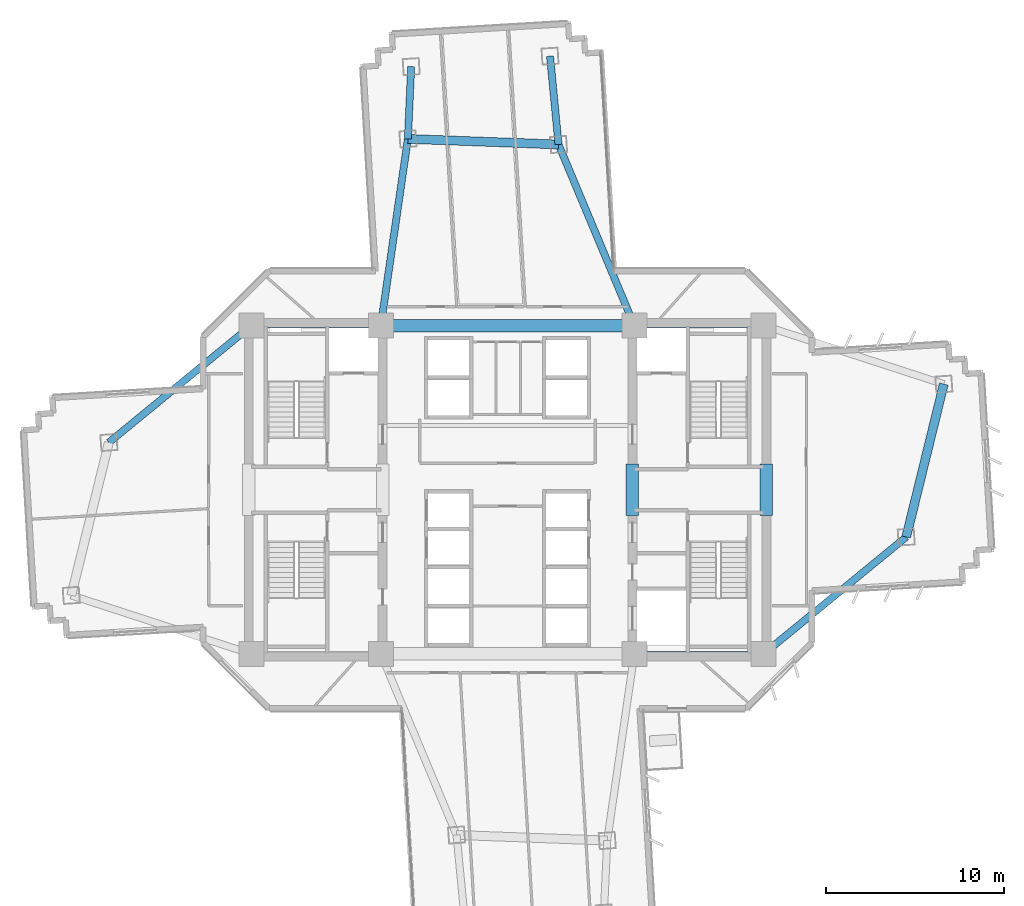
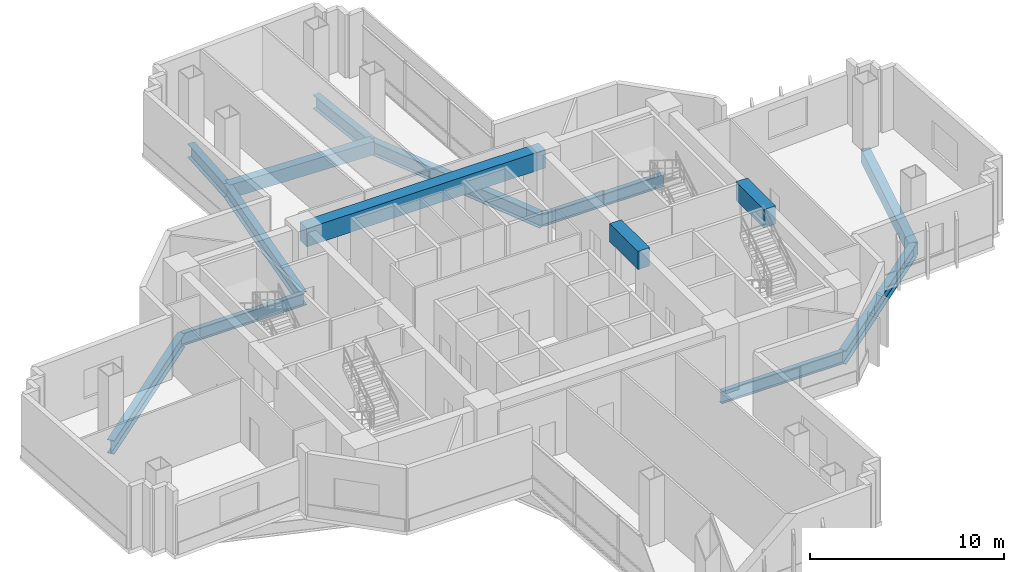
# One storey, part 3 of 15: 14 beams.
"""IFC4 building model written with IfcOpenShell, lengths in metres."""

from ifc_helpers import new_model, si_unit, direction, frame, origin, origin_2d, place, context, subcontext, project, spatial, rectangle, i_section, extrude, source, transform, mapped, material, material_profile, profile_set, type_object, element, save


model = new_model("IFC4")

# Units and contexts
model_context = context("Model", 3, precision=1e-05, world=origin(), true_north=direction((0.0, 1.0)))
body_context = subcontext(model_context, "Body", "Model", "MODEL_VIEW")
ifc_project = project(units=[si_unit("LENGTHUNIT", "METRE"), si_unit("AREAUNIT", "SQUARE_METRE"), si_unit("VOLUMEUNIT", "CUBIC_METRE"), si_unit("PLANEANGLEUNIT", "RADIAN"), si_unit("MASSUNIT", "GRAM", prefix="KILO")], contexts=[model_context])

# Site, building, storey
site_placement = place(None, origin())
site = spatial("IfcSite", under=ifc_project, at=site_placement, CompositionType="ELEMENT")
building_placement = place(site_placement, origin())
building = spatial("IfcBuilding", under=site, at=building_placement, Name="Zahravan Cultural Tower", CompositionType="ELEMENT")
storey_placement = place(building_placement, frame((0.0, 0.0, 71.10009765625)))
storey = spatial("IfcBuildingStorey", under=building, at=storey_placement, Name="L15", CompositionType="ELEMENT", Elevation=71.10009765625)

# Beams
ifc_material_1 = material(Name="Concrete C50/60", Category="concrete")
ifc_material_profile_1 = material_profile(ifc_material_1, rectangle(XDim=0.699951171875, YDim=1.14990234375, at=origin_2d()), Name="RC700X1150")
ifc_profile_set_1 = profile_set([ifc_material_profile_1], Name="Concrete C50/60")
beam_type_1 = type_object("IfcBeamType", Name="BM-LN-RC700X1150", PredefinedType="LINTEL", material=ifc_profile_set_1)
shared_shape_1 = source(origin(), body_context, "Body", "SweptSolid", [
    extrude(rectangle(XDim=0.699951171875, YDim=1.14990234375, at=origin_2d()), origin(), (0.0, 0.0, 1.0), 14.2001953125),
])
beam_1_placement = place(storey_placement, frame((28.89990234375, 36.199951171875, 3.375), z_axis=(1.0, 0.0, 0.0), x_axis=(0.0, 1.0, 0.0)))
element("IfcBeam", 1, at=beam_1_placement, inside=storey, type_object=beam_type_1, Name="L15 Beam LN-L15-N", PredefinedType="LINTEL", context=body_context, shape_type="MappedRepresentation", body=[
    mapped(shared_shape_1, transform((0.0, 0.0, 0.0), x_axis=(1.0, 0.0, 0.0), y_axis=(0.0, 1.0, 0.0), z_axis=(0.0, 0.0, 1.0), scale=1.0)),
])
shared_shape_2 = source(origin(), body_context, "Body", "SweptSolid", [
    extrude(rectangle(XDim=0.699951171875, YDim=1.14990234375, at=origin_2d()), origin(), (0.0, 0.0, 1.0), 2.89990234375),
])
for number, where, z_axis, x_axis, name in (
    (2, (43.0, 25.550048828125, 3.375), (0.0, 1.0, 0.0), (-1.0, 0.0, 0.0), "L15 Beam LN-L15-PEW"),
    (3, (50.5, 25.550048828125, 3.375), (0.0, 1.0, 0.0), (-1.0, 0.0, 0.0), "L15 Beam LN-L15-PEE"),
):
    element("IfcBeam", number, at=place(storey_placement, frame(where, z_axis=z_axis, x_axis=x_axis)), inside=storey, type_object=beam_type_1, Name=name, PredefinedType="LINTEL", context=body_context, shape_type="MappedRepresentation", body=[
        mapped(shared_shape_2, transform((0.0, 0.0, 0.0), x_axis=(1.0, 0.0, 0.0), y_axis=(0.0, 1.0, 0.0), z_axis=(0.0, 0.0, 1.0), scale=1.0)),
    ])
ifc_material_2 = material(Name="Steel ASTM A992 Grade 50", Category="steel")
ifc_material_profile_2 = material_profile(ifc_material_2, i_section(OverallWidth=0.26611328125, OverallDepth=0.780029296875, WebThickness=0.0166015625, FlangeThickness=0.030029296875, FilletRadius=0.01904296875, at=origin_2d()), Name="W30X148")
ifc_profile_set_2 = profile_set([ifc_material_profile_2], Name="Steel ASTM A992 Grade 50")
beam_type_2 = type_object("IfcBeamType", Name="BM-G-W30X148", PredefinedType="BEAM", material=ifc_profile_set_2)
shared_shape_3 = source(origin(), body_context, "Body", "SweptSolid", [
    extrude(i_section(OverallWidth=0.26611328125, OverallDepth=0.780029296875, WebThickness=0.0166015625, FlangeThickness=0.030029296875, FilletRadius=0.01904296875, at=origin_2d()), origin(), (0.0, 0.0, 1.0), 7.25),
])
for number, where, z_axis, x_axis, name in (
    (4, (21.64990234375, 36.199951171875, -0.64013671875), (1.0, 0.0, 0.0), (0.0, 1.0, 0.0), "L15 Beam BG-L15-02"),
    (5, (43.10009765625, 17.800048828125, -0.64013671875), (1.0, 0.0, 0.0), (0.0, 1.0, 0.0), "L15 Beam BG-L15-04"),
    (6, (43.10009765625, 36.199951171875, -0.64013671875), (1.0, 0.0, 0.0), (0.0, 1.0, 0.0), "L15 Beam BG-L15-05"),
):
    element("IfcBeam", number, at=place(storey_placement, frame(where, z_axis=z_axis, x_axis=x_axis)), inside=storey, type_object=beam_type_2, Name=name, PredefinedType="BEAM", context=body_context, shape_type="MappedRepresentation", body=[
        mapped(shared_shape_3, transform((0.0, 0.0, 0.0), x_axis=(1.0, 0.0, 0.0), y_axis=(0.0, 1.0, 0.0), z_axis=(0.0, 0.0, 1.0), scale=1.0)),
    ])
ifc_material_profile_3 = material_profile(ifc_material_1, rectangle(XDim=0.5, YDim=0.85009765625, at=origin_2d()), Name="RC500X850")
ifc_profile_set_3 = profile_set([ifc_material_profile_3], Name="Concrete C50/60")
beam_type_3 = type_object("IfcBeamType", Name="BM-SP-RC500X850", PredefinedType="SPANDREL", material=ifc_profile_set_3)
shared_shape_4 = source(origin(), body_context, "Body", "SweptSolid", [
    extrude(rectangle(XDim=0.5, YDim=0.85009765625, at=origin_2d()), origin(), (0.0, 0.0, 1.0), 8.4482421875),
])
beam_2_placement = place(storey_placement, frame((38.857421875, 46.346435546875, -0.675048828125), z_axis=(-0.999318826256, 0.036903705643, 0.0), x_axis=(-0.036903705643, -0.999318826256, 0.0)))
element("IfcBeam", 7, at=beam_2_placement, inside=storey, type_object=beam_type_3, Name="L15 Beam SP-L15-21", PredefinedType="SPANDREL", context=body_context, shape_type="MappedRepresentation", body=[
    mapped(shared_shape_4, transform((0.0, 0.0, 0.0), x_axis=(1.0, 0.0, 0.0), y_axis=(0.0, 1.0, 0.0), z_axis=(0.0, 0.0, 1.0), scale=1.0)),
])
shared_shape_5 = source(origin(), body_context, "Body", "SweptSolid", [
    extrude(rectangle(XDim=0.5, YDim=0.85009765625, at=origin_2d()), origin(), (0.0, 0.0, 1.0), 8.8232421875),
])
beam_3_placement = place(storey_placement, frame((58.339111328125, 24.351806640625, -0.675048828125), z_axis=(0.238848860516, 0.971056755206, 0.0), x_axis=(-0.971056755206, 0.238848860516, 0.0)))
element("IfcBeam", 8, at=beam_3_placement, inside=storey, type_object=beam_type_3, Name="L15 Beam SP-L15-20", PredefinedType="SPANDREL", context=body_context, shape_type="MappedRepresentation", body=[
    mapped(shared_shape_5, transform((0.0, 0.0, 0.0), x_axis=(1.0, 0.0, 0.0), y_axis=(0.0, 1.0, 0.0), z_axis=(0.0, 0.0, 1.0), scale=1.0)),
])
ifc_material_profile_4 = material_profile(ifc_material_2, i_section(OverallWidth=0.39990234375, OverallDepth=0.862060546875, WebThickness=0.019775390625, FlangeThickness=0.032470703125, FilletRadius=0.02001953125, at=origin_2d()), Name="W33X221")
ifc_profile_set_4 = profile_set([ifc_material_profile_4], Name="Steel ASTM A992 Grade 50")
beam_type_4 = type_object("IfcBeamType", Name="BM-G-W33X221", PredefinedType="BEAM", material=ifc_profile_set_4)
shared_shape_6 = source(origin(), body_context, "Body", "SweptSolid", [
    extrude(i_section(OverallWidth=0.39990234375, OverallDepth=0.862060546875, WebThickness=0.019775390625, FlangeThickness=0.032470703125, FilletRadius=0.02001953125, at=origin_2d()), origin(), (0.0, 0.0, 1.0), 10.997802734375),
])
beam_4_placement = place(storey_placement, frame((43.10009765625, 36.199951171875, -0.68115234375), z_axis=(-0.385775211449, 0.922592806297, 0.0), x_axis=(-0.922592806297, -0.385775211449, 0.0)))
element("IfcBeam", 9, at=beam_4_placement, inside=storey, type_object=beam_type_4, Name="L15 Beam BG-L15-12", PredefinedType="BEAM", context=body_context, shape_type="MappedRepresentation", body=[
    mapped(shared_shape_6, transform((0.0, 0.0, 0.0), x_axis=(1.0, 0.0, 0.0), y_axis=(0.0, 1.0, 0.0), z_axis=(0.0, 0.0, 1.0), scale=1.0)),
])
shared_shape_7 = source(origin(), body_context, "Body", "SweptSolid", [
    extrude(i_section(OverallWidth=0.39990234375, OverallDepth=0.862060546875, WebThickness=0.019775390625, FlangeThickness=0.032470703125, FilletRadius=0.02001953125, at=origin_2d()), origin(), (0.0, 0.0, 1.0), 10.5673828125),
])
beam_5_placement = place(storey_placement, frame((28.89990234375, 36.199951171875, -0.68115234375), z_axis=(0.143377913539, 0.989668011966, 0.0), x_axis=(-0.989668011966, 0.143377913539, 0.0)))
element("IfcBeam", 10, at=beam_5_placement, inside=storey, type_object=beam_type_4, Name="L15 Beam BG-L15-13", PredefinedType="BEAM", context=body_context, shape_type="MappedRepresentation", body=[
    mapped(shared_shape_7, transform((0.0, 0.0, 0.0), x_axis=(1.0, 0.0, 0.0), y_axis=(0.0, 1.0, 0.0), z_axis=(0.0, 0.0, 1.0), scale=1.0)),
])
shared_shape_8 = source(origin(), body_context, "Body", "SweptSolid", [
    extrude(i_section(OverallWidth=0.39990234375, OverallDepth=0.862060546875, WebThickness=0.019775390625, FlangeThickness=0.032470703125, FilletRadius=0.02001953125, at=origin_2d()), origin(), (0.0, 0.0, 1.0), 10.33203125),
])
for number, where, z_axis, x_axis, name in (
    (11, (50.35009765625, 17.800048828125, -0.68115234375), (0.773231409473, 0.634123952713, 0.0), (-0.634123952713, 0.773231409473, 0.0), "L15 Beam BG-L15-10"),
    (12, (21.64990234375, 36.199951171875, -0.68115234375), (-0.773231409473, -0.634123952713, 0.0), (0.634123952713, -0.773231409473, 0.0), "L15 Beam BG-L15-14"),
):
    element("IfcBeam", number, at=place(storey_placement, frame(where, z_axis=z_axis, x_axis=x_axis)), inside=storey, type_object=beam_type_4, Name=name, PredefinedType="BEAM", context=body_context, shape_type="MappedRepresentation", body=[
        mapped(shared_shape_8, transform((0.0, 0.0, 0.0), x_axis=(1.0, 0.0, 0.0), y_axis=(0.0, 1.0, 0.0), z_axis=(0.0, 0.0, 1.0), scale=1.0)),
    ])
shared_shape_9 = source(origin(), body_context, "Body", "SweptSolid", [
    extrude(i_section(OverallWidth=0.39990234375, OverallDepth=0.862060546875, WebThickness=0.019775390625, FlangeThickness=0.032470703125, FilletRadius=0.02001953125, at=origin_2d()), origin(), (0.0, 0.0, 1.0), 4.973876953125),
])
beam_6_placement = place(storey_placement, frame((38.857421875, 46.346435546875, -0.68115234375), z_axis=(-0.096154779131, 0.995366394073, 0.0), x_axis=(-0.995366394073, -0.096154779131, 0.0)))
element("IfcBeam", 13, at=beam_6_placement, inside=storey, type_object=beam_type_4, Name="L15 Beam BG-L15-15", PredefinedType="BEAM", context=body_context, shape_type="MappedRepresentation", body=[
    mapped(shared_shape_9, transform((0.0, 0.0, 0.0), x_axis=(1.0, 0.0, 0.0), y_axis=(0.0, 1.0, 0.0), z_axis=(0.0, 0.0, 1.0), scale=1.0)),
])
shared_shape_10 = source(origin(), body_context, "Body", "SweptSolid", [
    extrude(i_section(OverallWidth=0.39990234375, OverallDepth=0.862060546875, WebThickness=0.019775390625, FlangeThickness=0.032470703125, FilletRadius=0.02001953125, at=origin_2d()), origin(), (0.0, 0.0, 1.0), 4.0537109375),
])
beam_7_placement = place(storey_placement, frame((30.4150390625, 46.658203125, -0.68115234375), z_axis=(0.045770994677, 0.998951958828, 0.0), x_axis=(-0.998951958828, 0.045770994677, 0.0)))
element("IfcBeam", 14, at=beam_7_placement, inside=storey, type_object=beam_type_4, Name="L15 Beam BG-L15-16", PredefinedType="BEAM", context=body_context, shape_type="MappedRepresentation", body=[
    mapped(shared_shape_10, transform((0.0, 0.0, 0.0), x_axis=(1.0, 0.0, 0.0), y_axis=(0.0, 1.0, 0.0), z_axis=(0.0, 0.0, 1.0), scale=1.0)),
])

save(model, "model.ifc")
